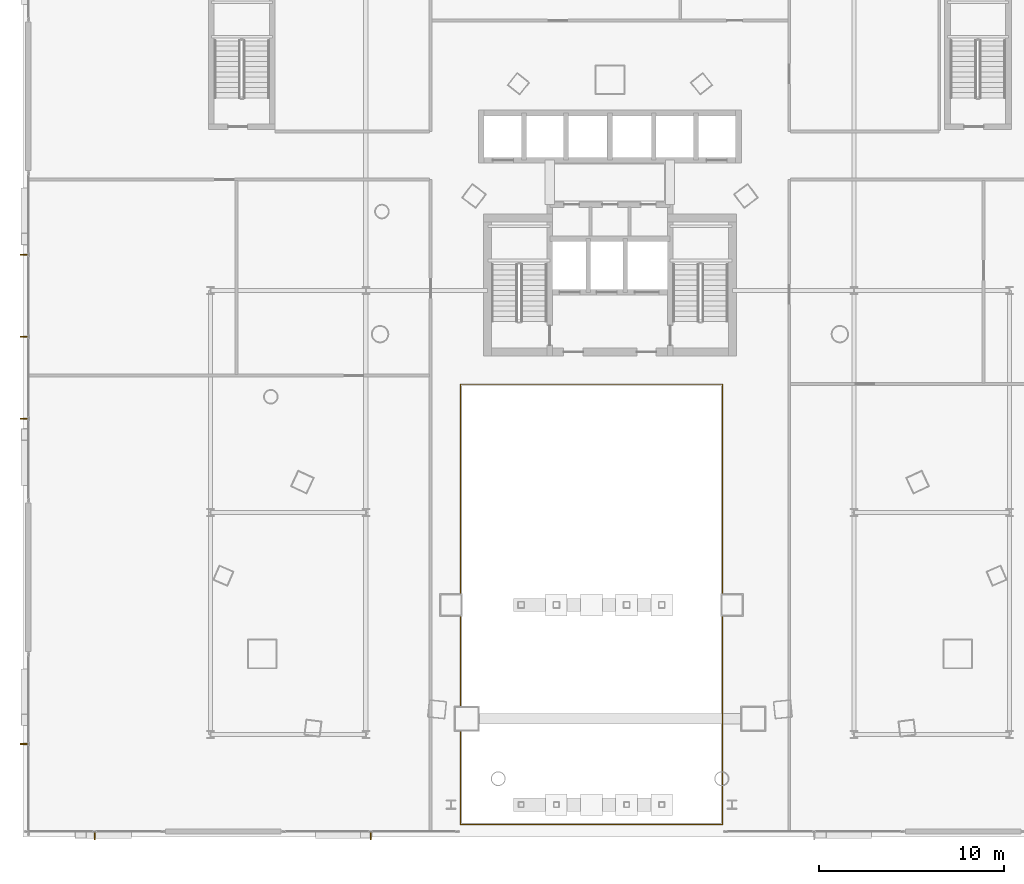
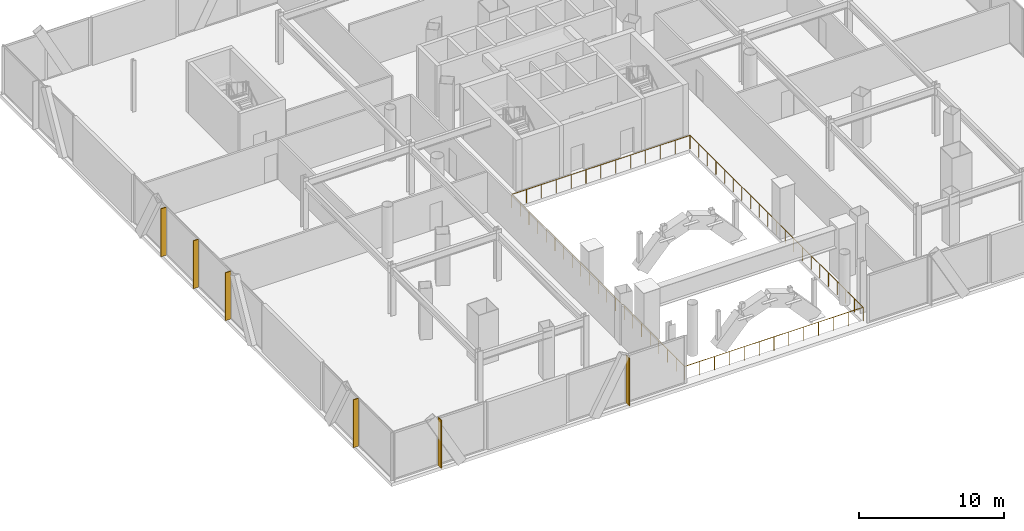
# One storey, part 36 of 42: 6 shading devices, 1 railing.
"""IFC4 building model written with IfcOpenShell, lengths in metres."""

import ifcopenshell
import ifcopenshell.guid

model = None  # the IFC model being written
_history = None  # IfcOwnerHistory: only IFC2X3 demands one
_inside = {}  # id of a spatial element -> (the spatial element, [elements in it])
_under = {}  # id of a project, library or spatial element -> (it, [spatial elements below it])
_declared = {}  # id of a project -> (the project, [libraries it declares])
_typed = {}  # id of a type object -> (the type object, [elements of that type])
_made_of = {}  # id of a material, layer set ... -> (it, [elements and type objects made of it])


def new_model(schema):
    """Start an empty IFC model of exactly this schema.

    Asked for "IFC4X3", IfcOpenShell would pick the latest addendum, in which some entities
    have other attributes; the version numbers below select the first issue.
    IFC2X3 requires an IfcOwnerHistory on every rooted entity: one is made here for all.
    """
    global model, _history
    if schema == "IFC4X3":
        model = ifcopenshell.file(schema_version=(4, 3, 0, 0))
    else:
        model = ifcopenshell.file(schema=schema)
    _inside.clear()
    _under.clear()
    _declared.clear()
    _typed.clear()
    _made_of.clear()
    _history = None
    if model.schema == "IFC2X3":
        org = make("IfcOrganization", Name="unknown")
        user = make(
            "IfcPersonAndOrganization",
            ThePerson=make("IfcPerson", FamilyName="unknown"),
            TheOrganization=org,
        )
        app = make(
            "IfcApplication",
            ApplicationDeveloper=org,
            Version="unknown",
            ApplicationFullName="unknown",
            ApplicationIdentifier="unknown",
        )
        _history = make(
            "IfcOwnerHistory",
            OwningUser=user,
            OwningApplication=app,
            ChangeAction="ADDED",
            CreationDate=0,
        )
    return model


def make(cls, **values):
    """One entity of the class cls with the attributes given. An attribute that is None is left unset."""
    return model.create_entity(
        cls, **{name: value for name, value in values.items() if value is not None}
    )


def rooted(cls, **values):
    """An entity with a GlobalId (a new one), such as an element, a storey or a relation."""
    return make(cls, GlobalId=ifcopenshell.guid.new(), OwnerHistory=_history, **values)


def si_unit(unit_type, name, prefix=None):
    """IfcSIUnit, for example si_unit("LENGTHUNIT", "METRE", prefix="MILLI")."""
    return make("IfcSIUnit", UnitType=unit_type, Prefix=prefix, Name=name)


def assignment(units):
    """IfcUnitAssignment: the units of a project."""
    return None if units is None else make("IfcUnitAssignment", Units=units)


def point(xyz):
    """IfcCartesianPoint."""
    return None if xyz is None else make("IfcCartesianPoint", Coordinates=xyz)


def direction(xyz):
    """IfcDirection."""
    return None if xyz is None else make("IfcDirection", DirectionRatios=xyz)


def frame(location, z_axis=None, x_axis=None):
    """IfcAxis2Placement3D, a coordinate frame: its origin and axes. An axis left out is left unset."""
    return make(
        "IfcAxis2Placement3D",
        Location=point(location),
        Axis=direction(z_axis),
        RefDirection=direction(x_axis),
    )


def frame_2d(location, x_axis=None):
    """IfcAxis2Placement2D, a coordinate frame in the plane: its origin and x axis."""
    return make(
        "IfcAxis2Placement2D", Location=point(location), RefDirection=direction(x_axis)
    )


def origin():
    """The frame at (0, 0, 0) with its axes left unset."""
    return frame((0.0, 0.0, 0.0))


def origin_2d():
    """The frame at (0, 0) in the plane with its x axis left unset."""
    return frame_2d((0.0, 0.0))


def place(relative_to, where):
    """IfcLocalPlacement: puts the frame where relative to a parent placement (None: the world)."""
    return make(
        "IfcLocalPlacement", PlacementRelTo=relative_to, RelativePlacement=where
    )


def context(
    kind, dimensions, precision=None, world=None, true_north=None, identifier=None
):
    """IfcGeometricRepresentationContext, for example the 3D "Model" context."""
    return make(
        "IfcGeometricRepresentationContext",
        ContextIdentifier=identifier,
        ContextType=kind,
        CoordinateSpaceDimension=dimensions,
        Precision=precision,
        WorldCoordinateSystem=world,
        TrueNorth=true_north,
    )


def subcontext(parent, identifier, kind, view, scale=None):
    """IfcGeometricRepresentationSubContext, for example "Body" below "Model"."""
    return make(
        "IfcGeometricRepresentationSubContext",
        ContextIdentifier=identifier,
        ContextType=kind,
        ParentContext=parent,
        TargetScale=scale,
        TargetView=view,
    )


def project(units=None, contexts=None):
    """IfcProject with its units and contexts."""
    return rooted(
        "IfcProject",
        Name="project",
        RepresentationContexts=contexts,
        UnitsInContext=assignment(units),
    )


def spatial(cls, under=None, at=None, **own):
    """A site, building, storey or space (cls), placed at a placement, below another one or the project."""
    s = rooted(cls, ObjectPlacement=at, **own)
    if under is not None:
        _under.setdefault(under.id(), (under, []))[1].append(s)
    return s


def profile(cls, at=None, kind="AREA", **sizes):
    """A parametric profile (cls). Its sizes go by their IFC names, for example OverallWidth=200.0."""
    return make(cls, ProfileType=kind, Position=at, **sizes)


def rectangle(**sizes):
    """IfcRectangleProfileDef."""
    return profile("IfcRectangleProfileDef", **sizes)


def circle(**sizes):
    """IfcCircleProfileDef."""
    return profile("IfcCircleProfileDef", **sizes)


def extrude(swept, where, along, depth):
    """IfcExtrudedAreaSolid: the profile swept, set in the frame where, extruded along a direction by depth."""
    return make(
        "IfcExtrudedAreaSolid",
        SweptArea=swept,
        Position=where,
        ExtrudedDirection=direction(along),
        Depth=depth,
    )


def shape(context_of_items, identifier, shape_type, items):
    """IfcShapeRepresentation: the items that make up one representation, for example the "Body"."""
    return make(
        "IfcShapeRepresentation",
        ContextOfItems=context_of_items,
        RepresentationIdentifier=identifier,
        RepresentationType=shape_type,
        Items=items,
    )


def material(Name=None, Category=None):
    """IfcMaterial."""
    return make("IfcMaterial", Name=Name, Category=Category)


def layer(
    of_material, thickness, ventilated=None, Name=None, Category=None, Priority=None
):
    """IfcMaterialLayer: one layer of a wall or slab, of a material (None: an air gap)."""
    return make(
        "IfcMaterialLayer",
        Material=of_material,
        LayerThickness=thickness,
        IsVentilated=ventilated,
        Name=Name,
        Category=Category,
        Priority=Priority,
    )


def layer_set(layers, Name=None):
    """IfcMaterialLayerSet."""
    return make("IfcMaterialLayerSet", MaterialLayers=layers, LayerSetName=Name)


def made_of(thing, what):
    """Note that an element or type object is made of a material, layer set ...; save() writes the relation."""
    if what is not None:
        _made_of.setdefault(what.id(), (what, []))[1].append(thing)
    return thing


def type_object(cls, material=None, **own):
    """A type object (cls), such as IfcWallType, which elements share."""
    return made_of(rooted(cls, **own), material)


def element(
    cls,
    number,
    at=None,
    inside=None,
    cuts=None,
    type_object=None,
    material=None,
    context=None,
    identifier="Body",
    shape_type=None,
    held_by="IfcProductDefinitionShape",
    body=None,
    shapes=None,
    **own,
):
    """One element of the class cls, such as IfcWall. Its Tag is "e" and its number.

    at: its placement. inside: the storey or other place that contains it. cuts: it is an
    opening in that element (IfcRelVoidsElement). A single representation is given by context,
    identifier, shape_type and body (its items); several are given by shapes. held_by: the class
    of the entity that holds the representations. save() writes the other relations.
    """
    e = rooted(cls, Tag="e%d" % number, ObjectPlacement=at, **own)
    if body is not None:
        shapes = [shape(context, identifier, shape_type, body)]
    if shapes is not None:
        e.Representation = make(held_by, Representations=shapes)
    if inside is not None:
        _inside.setdefault(inside.id(), (inside, []))[1].append(e)
    if cuts is not None:
        rooted(
            "IfcRelVoidsElement", RelatingBuildingElement=cuts, RelatedOpeningElement=e
        )
    if type_object is not None:
        _typed.setdefault(type_object.id(), (type_object, []))[1].append(e)
    return made_of(e, material)


def aggregate(whole, parts):
    """IfcRelAggregates: a whole, such as a stair, and the parts it consists of."""
    return rooted("IfcRelAggregates", RelatingObject=whole, RelatedObjects=parts)


def save(model, path):
    """Write the relations noted so far, then the file.

    IfcRelAggregates (storeys below a building ...), IfcRelContainedInSpatialStructure (elements
    in a storey), IfcRelDefinesByType, IfcRelAssociatesMaterial and IfcRelDeclares: one each for
    every whole, place, type object, material and project.
    """
    for whole, parts in _under.values():
        aggregate(whole, parts)
    for where, things in _inside.values():
        rooted(
            "IfcRelContainedInSpatialStructure",
            RelatedElements=things,
            RelatingStructure=where,
        )
    for kind, things in _typed.values():
        rooted("IfcRelDefinesByType", RelatedObjects=things, RelatingType=kind)
    for what, things in _made_of.values():
        rooted("IfcRelAssociatesMaterial", RelatedObjects=things, RelatingMaterial=what)
    for by, libraries in _declared.values():
        rooted("IfcRelDeclares", RelatingContext=by, RelatedDefinitions=libraries)
    model.write(path)


model = new_model("IFC4")

# Units and contexts
model_context = context("Model", 3, precision=1e-05, world=origin(), true_north=direction((0.0, 1.0)))
body_context = subcontext(model_context, "Body", "Model", "MODEL_VIEW")
ifc_project = project(units=[si_unit("LENGTHUNIT", "METRE"), si_unit("AREAUNIT", "SQUARE_METRE"), si_unit("VOLUMEUNIT", "CUBIC_METRE"), si_unit("PLANEANGLEUNIT", "RADIAN"), si_unit("MASSUNIT", "GRAM", prefix="KILO")], contexts=[model_context])

# Site, building, storey
site_placement = place(None, origin())
site = spatial("IfcSite", under=ifc_project, at=site_placement, CompositionType="ELEMENT")
building_placement = place(site_placement, origin())
building = spatial("IfcBuilding", under=site, at=building_placement, Name="Orvanel Arch Residences", CompositionType="ELEMENT")
storey_placement = place(building_placement, frame((0.0, 0.0, 9.800048828125)))
storey = spatial("IfcBuildingStorey", under=building, at=storey_placement, Name="L02", CompositionType="ELEMENT", Elevation=9.800048828125)

# Shading devices
ifc_material = material(Name="Bronze-anodised aluminium AA6063-T6", Category="aluminium")
ifc_layer = layer(ifc_material, 0.06494140625)
ifc_layer_set = layer_set([ifc_layer], Name="Bronze-anodised aluminium AA6063-T6")
shading_device_type = type_object("IfcShadingDeviceType", Name="FIN-BRZ-420", PredefinedType="USERDEFINED", material=ifc_layer_set)
for number, where, z_axis, x_axis, name in (
    (1, (5.135009765625, 0.510009765625, 0.0), (0.0, 0.0, 1.0), (0.0, -1.0, 0.0), "L02 Anodised Bronze Mullion FIN 01"),
    (2, (20.06005859375, 0.510009765625, 0.0), (0.0, 0.0, 1.0), (0.0, -1.0, 0.0), "L02 Anodised Bronze Mullion FIN 01"),
    (3, (1.31005859375, 5.485107421875, 0.0), (0.0, 0.0, 1.0), (-1.0, 0.0, 0.0), "L02 Anodised Bronze Mullion FIN 01"),
    (4, (1.31005859375, 31.929931640625, 0.0), (0.0, 0.0, 1.0), (-1.0, 0.0, 0.0), "L02 Anodised Bronze Mullion FIN 01"),
    (5, (1.31005859375, 27.5, 0.0), (0.0, 0.0, 1.0), (-1.0, 0.0, 0.0), "L02 Anodised Bronze Mullion FIN 02"),
    (6, (1.31005859375, 23.070068359375, 0.0), (0.0, 0.0, 1.0), (-1.0, 0.0, 0.0), "L02 Anodised Bronze Mullion FIN 03"),
):
    element("IfcShadingDevice", number, at=place(storey_placement, frame(where, z_axis=z_axis, x_axis=x_axis)), inside=storey, type_object=shading_device_type, Name=name, ObjectType="FIN", PredefinedType="USERDEFINED", context=body_context, shape_type="SweptSolid", body=[
        extrude(rectangle(XDim=0.419921875, YDim=0.06494140625, at=origin_2d()), origin(), (0.0, 0.0, 1.0), 4.02001953125),
    ])

# Railing
railing_type = type_object("IfcRailingType", Name="RL-ATR-1150", PredefinedType="BALUSTRADE", material=ifc_material)
railing_placement = place(storey_placement, frame((24.919921875, 1.1201171875, 0.0)))
element("IfcRailing", 7, at=railing_placement, inside=storey, type_object=railing_type, Name="L02 Public Arch Void Balustrade", PredefinedType="BALUSTRADE", context=body_context, shape_type="SweptSolid", body=[
    extrude(circle(Radius=0.02392578125, at=origin_2d()), frame((0.00146484375, 0.0, 1.1259765625), z_axis=(1.0, 0.0, 0.0), x_axis=(0.0, 1.0, 0.0)), (0.0, 0.0, 1.0), 14.1572265625),
    extrude(circle(Radius=0.02392578125, at=origin_2d()), frame((14.16015625, 0.00146484375, 1.1259765625), z_axis=(0.0, 1.0, 0.0), x_axis=(-1.0, 0.0, 0.0)), (0.0, 0.0, 1.0), 23.806884765625),
    extrude(circle(Radius=0.02392578125, at=origin_2d()), frame((14.15869140625, 23.809814453125, 1.1259765625), z_axis=(-1.0, 0.0, 0.0), x_axis=(0.0, -1.0, 0.0)), (0.0, 0.0, 1.0), 14.1572265625),
    extrude(circle(Radius=0.02392578125, at=origin_2d()), frame((0.0, 23.808349609375, 1.1259765625), z_axis=(0.0, -1.0, 0.0), x_axis=(1.0, 0.0, 0.0)), (0.0, 0.0, 1.0), 23.806884765625),
    extrude(circle(Radius=0.02099609375, at=origin_2d()), origin(), (0.0, 0.0, 1.0), 1.099853515625),
    extrude(circle(Radius=0.02099609375, at=origin_2d()), frame((1.179931640625, 0.0, 0.0)), (0.0, 0.0, 1.0), 1.099853515625),
    extrude(circle(Radius=0.02099609375, at=origin_2d()), frame((2.360107421875, 0.0, 0.0)), (0.0, 0.0, 1.0), 1.099853515625),
    extrude(circle(Radius=0.02099609375, at=origin_2d()), frame((3.5400390625, 0.0, 0.0)), (0.0, 0.0, 1.0), 1.099853515625),
    extrude(circle(Radius=0.02099609375, at=origin_2d()), frame((4.719970703125, 0.0, 0.0)), (0.0, 0.0, 1.0), 1.099853515625),
    extrude(circle(Radius=0.02099609375, at=origin_2d()), frame((5.900146484375, 0.0, 0.0)), (0.0, 0.0, 1.0), 1.099853515625),
    extrude(circle(Radius=0.02099609375, at=origin_2d()), frame((7.080078125, 0.0, 0.0)), (0.0, 0.0, 1.0), 1.099853515625),
    extrude(circle(Radius=0.02099609375, at=origin_2d()), frame((8.260009765625, 0.0, 0.0)), (0.0, 0.0, 1.0), 1.099853515625),
    extrude(circle(Radius=0.02099609375, at=origin_2d()), frame((9.440185546875, 0.0, 0.0)), (0.0, 0.0, 1.0), 1.099853515625),
    extrude(circle(Radius=0.02099609375, at=origin_2d()), frame((10.6201171875, 0.0, 0.0)), (0.0, 0.0, 1.0), 1.099853515625),
    extrude(circle(Radius=0.02099609375, at=origin_2d()), frame((11.800048828125, 0.0, 0.0)), (0.0, 0.0, 1.0), 1.099853515625),
    extrude(circle(Radius=0.02099609375, at=origin_2d()), frame((12.980224609375, 0.0, 0.0)), (0.0, 0.0, 1.0), 1.099853515625),
    extrude(circle(Radius=0.02099609375, at=origin_2d()), frame((14.16015625, 0.0, 0.0)), (0.0, 0.0, 1.0), 1.099853515625),
    extrude(circle(Radius=0.02099609375, at=origin_2d()), frame((14.16015625, 1.1904296875, 0.0)), (0.0, 0.0, 1.0), 1.099853515625),
    extrude(circle(Radius=0.02099609375, at=origin_2d()), frame((14.16015625, 2.380859375, 0.0)), (0.0, 0.0, 1.0), 1.099853515625),
    extrude(circle(Radius=0.02099609375, at=origin_2d()), frame((14.16015625, 3.571533203125, 0.0)), (0.0, 0.0, 1.0), 1.099853515625),
    extrude(circle(Radius=0.02099609375, at=origin_2d()), frame((14.16015625, 4.761962890625, 0.0)), (0.0, 0.0, 1.0), 1.099853515625),
    extrude(circle(Radius=0.02099609375, at=origin_2d()), frame((14.16015625, 5.952392578125, 0.0)), (0.0, 0.0, 1.0), 1.099853515625),
    extrude(circle(Radius=0.02099609375, at=origin_2d()), frame((14.16015625, 7.14306640625, 0.0)), (0.0, 0.0, 1.0), 1.099853515625),
    extrude(circle(Radius=0.02099609375, at=origin_2d()), frame((14.16015625, 8.33349609375, 0.0)), (0.0, 0.0, 1.0), 1.099853515625),
    extrude(circle(Radius=0.02099609375, at=origin_2d()), frame((14.16015625, 9.52392578125, 0.0)), (0.0, 0.0, 1.0), 1.099853515625),
    extrude(circle(Radius=0.02099609375, at=origin_2d()), frame((14.16015625, 10.71435546875, 0.0)), (0.0, 0.0, 1.0), 1.099853515625),
    extrude(circle(Radius=0.02099609375, at=origin_2d()), frame((14.16015625, 11.90478515625, 0.0)), (0.0, 0.0, 1.0), 1.099853515625),
    extrude(circle(Radius=0.02099609375, at=origin_2d()), frame((14.16015625, 13.095458984375, 0.0)), (0.0, 0.0, 1.0), 1.099853515625),
    extrude(circle(Radius=0.02099609375, at=origin_2d()), frame((14.16015625, 14.285888671875, 0.0)), (0.0, 0.0, 1.0), 1.099853515625),
    extrude(circle(Radius=0.02099609375, at=origin_2d()), frame((14.16015625, 15.476318359375, 0.0)), (0.0, 0.0, 1.0), 1.099853515625),
    extrude(circle(Radius=0.02099609375, at=origin_2d()), frame((14.16015625, 16.6669921875, 0.0)), (0.0, 0.0, 1.0), 1.099853515625),
    extrude(circle(Radius=0.02099609375, at=origin_2d()), frame((14.16015625, 17.857421875, 0.0)), (0.0, 0.0, 1.0), 1.099853515625),
    extrude(circle(Radius=0.02099609375, at=origin_2d()), frame((14.16015625, 19.0478515625, 0.0)), (0.0, 0.0, 1.0), 1.099853515625),
    extrude(circle(Radius=0.02099609375, at=origin_2d()), frame((14.16015625, 20.23828125, 0.0)), (0.0, 0.0, 1.0), 1.099853515625),
    extrude(circle(Radius=0.02099609375, at=origin_2d()), frame((14.16015625, 21.4287109375, 0.0)), (0.0, 0.0, 1.0), 1.099853515625),
    extrude(circle(Radius=0.02099609375, at=origin_2d()), frame((14.16015625, 22.619384765625, 0.0)), (0.0, 0.0, 1.0), 1.099853515625),
    extrude(circle(Radius=0.02099609375, at=origin_2d()), frame((14.16015625, 23.809814453125, 0.0)), (0.0, 0.0, 1.0), 1.099853515625),
    extrude(circle(Radius=0.02099609375, at=origin_2d()), frame((12.980224609375, 23.809814453125, 0.0)), (0.0, 0.0, 1.0), 1.099853515625),
    extrude(circle(Radius=0.02099609375, at=origin_2d()), frame((11.800048828125, 23.809814453125, 0.0)), (0.0, 0.0, 1.0), 1.099853515625),
    extrude(circle(Radius=0.02099609375, at=origin_2d()), frame((10.6201171875, 23.809814453125, 0.0)), (0.0, 0.0, 1.0), 1.099853515625),
    extrude(circle(Radius=0.02099609375, at=origin_2d()), frame((9.440185546875, 23.809814453125, 0.0)), (0.0, 0.0, 1.0), 1.099853515625),
    extrude(circle(Radius=0.02099609375, at=origin_2d()), frame((8.260009765625, 23.809814453125, 0.0)), (0.0, 0.0, 1.0), 1.099853515625),
    extrude(circle(Radius=0.02099609375, at=origin_2d()), frame((7.080078125, 23.809814453125, 0.0)), (0.0, 0.0, 1.0), 1.099853515625),
    extrude(circle(Radius=0.02099609375, at=origin_2d()), frame((5.900146484375, 23.809814453125, 0.0)), (0.0, 0.0, 1.0), 1.099853515625),
    extrude(circle(Radius=0.02099609375, at=origin_2d()), frame((4.719970703125, 23.809814453125, 0.0)), (0.0, 0.0, 1.0), 1.099853515625),
    extrude(circle(Radius=0.02099609375, at=origin_2d()), frame((3.5400390625, 23.809814453125, 0.0)), (0.0, 0.0, 1.0), 1.099853515625),
    extrude(circle(Radius=0.02099609375, at=origin_2d()), frame((2.360107421875, 23.809814453125, 0.0)), (0.0, 0.0, 1.0), 1.099853515625),
    extrude(circle(Radius=0.02099609375, at=origin_2d()), frame((1.179931640625, 23.809814453125, 0.0)), (0.0, 0.0, 1.0), 1.099853515625),
    extrude(circle(Radius=0.02099609375, at=origin_2d()), frame((0.0, 23.809814453125, 0.0)), (0.0, 0.0, 1.0), 1.099853515625),
    extrude(circle(Radius=0.02099609375, at=origin_2d()), frame((0.0, 22.619384765625, 0.0)), (0.0, 0.0, 1.0), 1.099853515625),
    extrude(circle(Radius=0.02099609375, at=origin_2d()), frame((0.0, 21.4287109375, 0.0)), (0.0, 0.0, 1.0), 1.099853515625),
    extrude(circle(Radius=0.02099609375, at=origin_2d()), frame((0.0, 20.23828125, 0.0)), (0.0, 0.0, 1.0), 1.099853515625),
    extrude(circle(Radius=0.02099609375, at=origin_2d()), frame((0.0, 19.0478515625, 0.0)), (0.0, 0.0, 1.0), 1.099853515625),
    extrude(circle(Radius=0.02099609375, at=origin_2d()), frame((0.0, 17.857421875, 0.0)), (0.0, 0.0, 1.0), 1.099853515625),
    extrude(circle(Radius=0.02099609375, at=origin_2d()), frame((0.0, 16.6669921875, 0.0)), (0.0, 0.0, 1.0), 1.099853515625),
    extrude(circle(Radius=0.02099609375, at=origin_2d()), frame((0.0, 15.476318359375, 0.0)), (0.0, 0.0, 1.0), 1.099853515625),
    extrude(circle(Radius=0.02099609375, at=origin_2d()), frame((0.0, 14.285888671875, 0.0)), (0.0, 0.0, 1.0), 1.099853515625),
    extrude(circle(Radius=0.02099609375, at=origin_2d()), frame((0.0, 13.095458984375, 0.0)), (0.0, 0.0, 1.0), 1.099853515625),
    extrude(circle(Radius=0.02099609375, at=origin_2d()), frame((0.0, 11.90478515625, 0.0)), (0.0, 0.0, 1.0), 1.099853515625),
    extrude(circle(Radius=0.02099609375, at=origin_2d()), frame((0.0, 10.71435546875, 0.0)), (0.0, 0.0, 1.0), 1.099853515625),
    extrude(circle(Radius=0.02099609375, at=origin_2d()), frame((0.0, 9.52392578125, 0.0)), (0.0, 0.0, 1.0), 1.099853515625),
    extrude(circle(Radius=0.02099609375, at=origin_2d()), frame((0.0, 8.33349609375, 0.0)), (0.0, 0.0, 1.0), 1.099853515625),
    extrude(circle(Radius=0.02099609375, at=origin_2d()), frame((0.0, 7.14306640625, 0.0)), (0.0, 0.0, 1.0), 1.099853515625),
    extrude(circle(Radius=0.02099609375, at=origin_2d()), frame((0.0, 5.952392578125, 0.0)), (0.0, 0.0, 1.0), 1.099853515625),
    extrude(circle(Radius=0.02099609375, at=origin_2d()), frame((0.0, 4.761962890625, 0.0)), (0.0, 0.0, 1.0), 1.099853515625),
    extrude(circle(Radius=0.02099609375, at=origin_2d()), frame((0.0, 3.571533203125, 0.0)), (0.0, 0.0, 1.0), 1.099853515625),
    extrude(circle(Radius=0.02099609375, at=origin_2d()), frame((0.0, 2.380859375, 0.0)), (0.0, 0.0, 1.0), 1.099853515625),
    extrude(circle(Radius=0.02099609375, at=origin_2d()), frame((0.0, 1.1904296875, 0.0)), (0.0, 0.0, 1.0), 1.099853515625),
])

save(model, "model.ifc")
